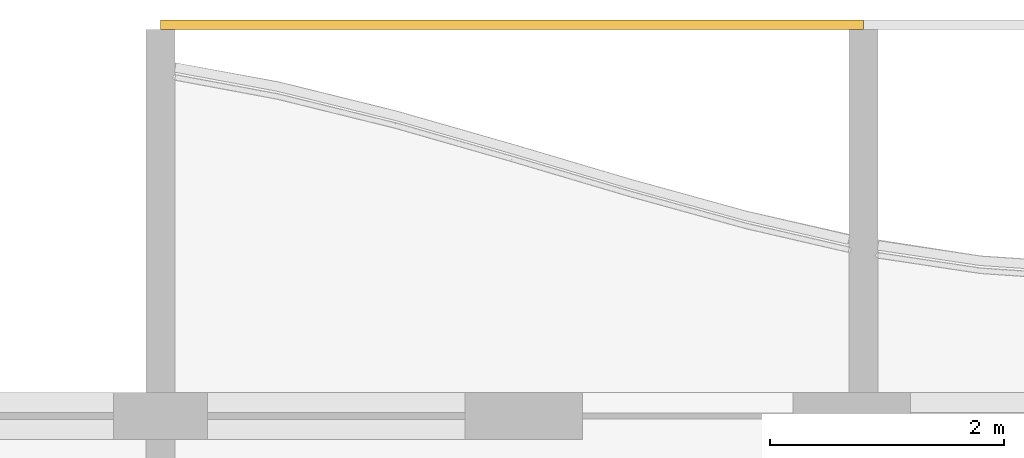
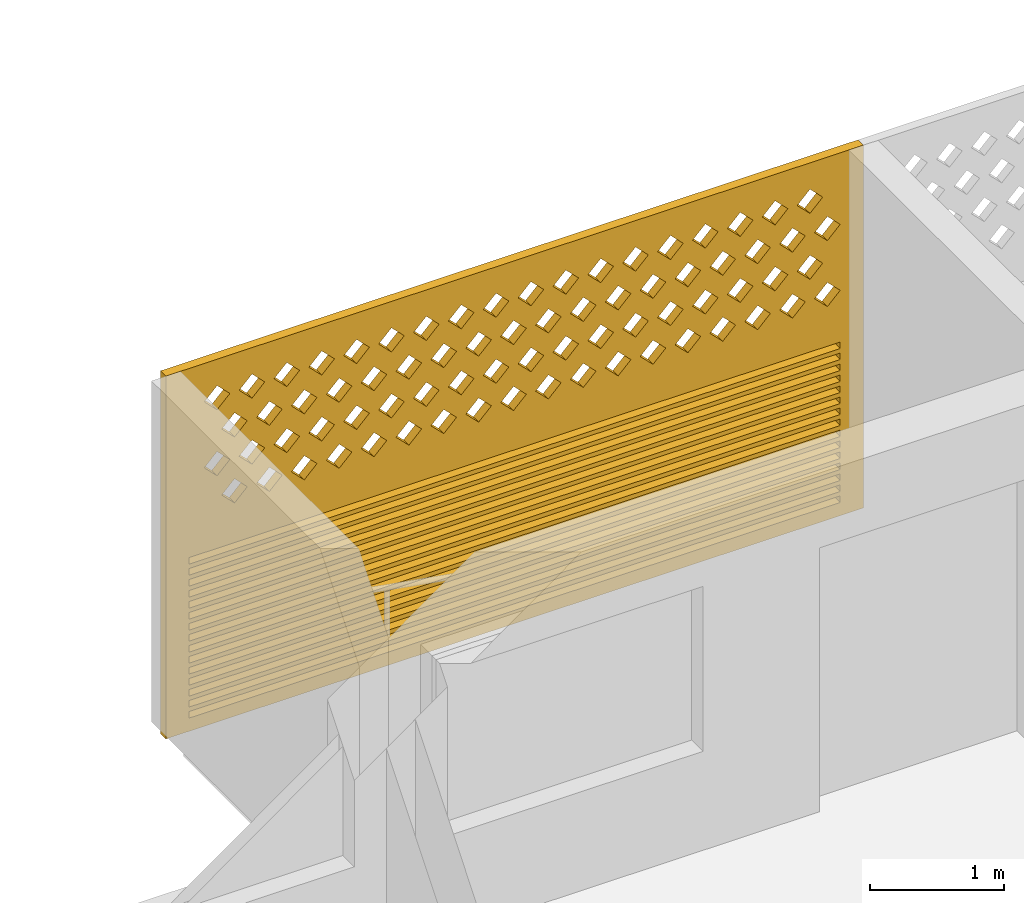
# One storey, part 25 of 27: 1 covering.
"""IFC4 building model written with IfcOpenShell, lengths in metres."""

import ifcopenshell
import ifcopenshell.guid

model = None  # the IFC model being written
_history = None  # IfcOwnerHistory: only IFC2X3 demands one
_inside = {}  # id of a spatial element -> (the spatial element, [elements in it])
_under = {}  # id of a project, library or spatial element -> (it, [spatial elements below it])
_declared = {}  # id of a project -> (the project, [libraries it declares])
_typed = {}  # id of a type object -> (the type object, [elements of that type])
_made_of = {}  # id of a material, layer set ... -> (it, [elements and type objects made of it])


def new_model(schema):
    """Start an empty IFC model of exactly this schema.

    Asked for "IFC4X3", IfcOpenShell would pick the latest addendum, in which some entities
    have other attributes; the version numbers below select the first issue.
    IFC2X3 requires an IfcOwnerHistory on every rooted entity: one is made here for all.
    """
    global model, _history
    if schema == "IFC4X3":
        model = ifcopenshell.file(schema_version=(4, 3, 0, 0))
    else:
        model = ifcopenshell.file(schema=schema)
    _inside.clear()
    _under.clear()
    _declared.clear()
    _typed.clear()
    _made_of.clear()
    _history = None
    if model.schema == "IFC2X3":
        org = make("IfcOrganization", Name="unknown")
        user = make(
            "IfcPersonAndOrganization",
            ThePerson=make("IfcPerson", FamilyName="unknown"),
            TheOrganization=org,
        )
        app = make(
            "IfcApplication",
            ApplicationDeveloper=org,
            Version="unknown",
            ApplicationFullName="unknown",
            ApplicationIdentifier="unknown",
        )
        _history = make(
            "IfcOwnerHistory",
            OwningUser=user,
            OwningApplication=app,
            ChangeAction="ADDED",
            CreationDate=0,
        )
    return model


def make(cls, **values):
    """One entity of the class cls with the attributes given. An attribute that is None is left unset."""
    return model.create_entity(
        cls, **{name: value for name, value in values.items() if value is not None}
    )


def rooted(cls, **values):
    """An entity with a GlobalId (a new one), such as an element, a storey or a relation."""
    return make(cls, GlobalId=ifcopenshell.guid.new(), OwnerHistory=_history, **values)


def si_unit(unit_type, name, prefix=None):
    """IfcSIUnit, for example si_unit("LENGTHUNIT", "METRE", prefix="MILLI")."""
    return make("IfcSIUnit", UnitType=unit_type, Prefix=prefix, Name=name)


def assignment(units):
    """IfcUnitAssignment: the units of a project."""
    return None if units is None else make("IfcUnitAssignment", Units=units)


def point(xyz):
    """IfcCartesianPoint."""
    return None if xyz is None else make("IfcCartesianPoint", Coordinates=xyz)


def direction(xyz):
    """IfcDirection."""
    return None if xyz is None else make("IfcDirection", DirectionRatios=xyz)


def frame(location, z_axis=None, x_axis=None):
    """IfcAxis2Placement3D, a coordinate frame: its origin and axes. An axis left out is left unset."""
    return make(
        "IfcAxis2Placement3D",
        Location=point(location),
        Axis=direction(z_axis),
        RefDirection=direction(x_axis),
    )


def origin():
    """The frame at (0, 0, 0) with its axes left unset."""
    return frame((0.0, 0.0, 0.0))


def place(relative_to, where):
    """IfcLocalPlacement: puts the frame where relative to a parent placement (None: the world)."""
    return make(
        "IfcLocalPlacement", PlacementRelTo=relative_to, RelativePlacement=where
    )


def context(
    kind, dimensions, precision=None, world=None, true_north=None, identifier=None
):
    """IfcGeometricRepresentationContext, for example the 3D "Model" context."""
    return make(
        "IfcGeometricRepresentationContext",
        ContextIdentifier=identifier,
        ContextType=kind,
        CoordinateSpaceDimension=dimensions,
        Precision=precision,
        WorldCoordinateSystem=world,
        TrueNorth=true_north,
    )


def subcontext(parent, identifier, kind, view, scale=None):
    """IfcGeometricRepresentationSubContext, for example "Body" below "Model"."""
    return make(
        "IfcGeometricRepresentationSubContext",
        ContextIdentifier=identifier,
        ContextType=kind,
        ParentContext=parent,
        TargetScale=scale,
        TargetView=view,
    )


def project(units=None, contexts=None):
    """IfcProject with its units and contexts."""
    return rooted(
        "IfcProject",
        Name="project",
        RepresentationContexts=contexts,
        UnitsInContext=assignment(units),
    )


def spatial(cls, under=None, at=None, **own):
    """A site, building, storey or space (cls), placed at a placement, below another one or the project."""
    s = rooted(cls, ObjectPlacement=at, **own)
    if under is not None:
        _under.setdefault(under.id(), (under, []))[1].append(s)
    return s


def polyline(points):
    """IfcPolyline through the points."""
    return make("IfcPolyline", Points=[point(p) for p in points])


def outline(outer, holes=None, kind="AREA"):
    """IfcArbitraryClosedProfileDef: a profile drawn as a closed curve; with holes, ...WithVoids."""
    if holes is None:
        return make("IfcArbitraryClosedProfileDef", ProfileType=kind, OuterCurve=outer)
    return make(
        "IfcArbitraryProfileDefWithVoids",
        ProfileType=kind,
        OuterCurve=outer,
        InnerCurves=holes,
    )


def extrude(swept, where, along, depth):
    """IfcExtrudedAreaSolid: the profile swept, set in the frame where, extruded along a direction by depth."""
    return make(
        "IfcExtrudedAreaSolid",
        SweptArea=swept,
        Position=where,
        ExtrudedDirection=direction(along),
        Depth=depth,
    )


def shape(context_of_items, identifier, shape_type, items):
    """IfcShapeRepresentation: the items that make up one representation, for example the "Body"."""
    return make(
        "IfcShapeRepresentation",
        ContextOfItems=context_of_items,
        RepresentationIdentifier=identifier,
        RepresentationType=shape_type,
        Items=items,
    )


def source(mapping_origin, context_of_items, identifier, shape_type, items):
    """IfcRepresentationMap: a shape defined once, which mapped items show again and again."""
    return make(
        "IfcRepresentationMap",
        MappingOrigin=mapping_origin,
        MappedRepresentation=shape(context_of_items, identifier, shape_type, items),
    )


def transform(
    local_origin,
    x_axis=None,
    y_axis=None,
    z_axis=None,
    scale=None,
    scale2=None,
    scale3=None,
    uniform=True,
):
    """IfcCartesianTransformationOperator3D, or its non-uniform kind. x_axis, y_axis, z_axis: its Axis1, 2, 3."""
    if uniform:
        return make(
            "IfcCartesianTransformationOperator3D",
            Axis1=direction(x_axis),
            Axis2=direction(y_axis),
            LocalOrigin=point(local_origin),
            Scale=scale,
            Axis3=direction(z_axis),
        )
    return make(
        "IfcCartesianTransformationOperator3DnonUniform",
        Axis1=direction(x_axis),
        Axis2=direction(y_axis),
        LocalOrigin=point(local_origin),
        Scale=scale,
        Axis3=direction(z_axis),
        Scale2=scale2,
        Scale3=scale3,
    )


def mapped(mapping_source, mapping_target):
    """IfcMappedItem: shows the shape of a source again, moved by a transform."""
    return make(
        "IfcMappedItem", MappingSource=mapping_source, MappingTarget=mapping_target
    )


def material(Name=None, Category=None):
    """IfcMaterial."""
    return make("IfcMaterial", Name=Name, Category=Category)


def material_profile(
    of_material, cross_section, Name=None, Category=None, Priority=None
):
    """IfcMaterialProfile: a cross section and its material."""
    return make(
        "IfcMaterialProfile",
        Name=Name,
        Material=of_material,
        Profile=cross_section,
        Priority=Priority,
        Category=Category,
    )


def profile_set(profiles, Name=None, composite=None):
    """IfcMaterialProfileSet."""
    return make(
        "IfcMaterialProfileSet",
        Name=Name,
        MaterialProfiles=profiles,
        CompositeProfile=composite,
    )


def made_of(thing, what):
    """Note that an element or type object is made of a material, layer set ...; save() writes the relation."""
    if what is not None:
        _made_of.setdefault(what.id(), (what, []))[1].append(thing)
    return thing


def type_object(cls, material=None, **own):
    """A type object (cls), such as IfcWallType, which elements share."""
    return made_of(rooted(cls, **own), material)


def element(
    cls,
    number,
    at=None,
    inside=None,
    cuts=None,
    type_object=None,
    material=None,
    context=None,
    identifier="Body",
    shape_type=None,
    held_by="IfcProductDefinitionShape",
    body=None,
    shapes=None,
    **own,
):
    """One element of the class cls, such as IfcWall. Its Tag is "e" and its number.

    at: its placement. inside: the storey or other place that contains it. cuts: it is an
    opening in that element (IfcRelVoidsElement). A single representation is given by context,
    identifier, shape_type and body (its items); several are given by shapes. held_by: the class
    of the entity that holds the representations. save() writes the other relations.
    """
    e = rooted(cls, Tag="e%d" % number, ObjectPlacement=at, **own)
    if body is not None:
        shapes = [shape(context, identifier, shape_type, body)]
    if shapes is not None:
        e.Representation = make(held_by, Representations=shapes)
    if inside is not None:
        _inside.setdefault(inside.id(), (inside, []))[1].append(e)
    if cuts is not None:
        rooted(
            "IfcRelVoidsElement", RelatingBuildingElement=cuts, RelatedOpeningElement=e
        )
    if type_object is not None:
        _typed.setdefault(type_object.id(), (type_object, []))[1].append(e)
    return made_of(e, material)


def aggregate(whole, parts):
    """IfcRelAggregates: a whole, such as a stair, and the parts it consists of."""
    return rooted("IfcRelAggregates", RelatingObject=whole, RelatedObjects=parts)


def save(model, path):
    """Write the relations noted so far, then the file.

    IfcRelAggregates (storeys below a building ...), IfcRelContainedInSpatialStructure (elements
    in a storey), IfcRelDefinesByType, IfcRelAssociatesMaterial and IfcRelDeclares: one each for
    every whole, place, type object, material and project.
    """
    for whole, parts in _under.values():
        aggregate(whole, parts)
    for where, things in _inside.values():
        rooted(
            "IfcRelContainedInSpatialStructure",
            RelatedElements=things,
            RelatingStructure=where,
        )
    for kind, things in _typed.values():
        rooted("IfcRelDefinesByType", RelatedObjects=things, RelatingType=kind)
    for what, things in _made_of.values():
        rooted("IfcRelAssociatesMaterial", RelatedObjects=things, RelatingMaterial=what)
    for by, libraries in _declared.values():
        rooted("IfcRelDeclares", RelatingContext=by, RelatedDefinitions=libraries)
    model.write(path)


model = new_model("IFC4")

# Units and contexts
model_context = context("Model", 3, precision=1e-05, world=origin(), true_north=direction((0.0, 1.0)))
body_context = subcontext(model_context, "Body", "Model", "MODEL_VIEW")
ifc_project = project(units=[si_unit("LENGTHUNIT", "METRE"), si_unit("AREAUNIT", "SQUARE_METRE"), si_unit("VOLUMEUNIT", "CUBIC_METRE"), si_unit("PLANEANGLEUNIT", "RADIAN"), si_unit("MASSUNIT", "GRAM", prefix="KILO")], contexts=[model_context])

# Site, building, storey
site_placement = place(None, origin())
site = spatial("IfcSite", under=ifc_project, at=site_placement, CompositionType="ELEMENT")
building_placement = place(site_placement, origin())
building = spatial("IfcBuilding", under=site, at=building_placement, Name="Poui Terraces", CompositionType="ELEMENT")
storey_placement = place(building_placement, frame((0.0, 0.0, 254.39990234375)))
storey = spatial("IfcBuildingStorey", under=building, at=storey_placement, Name="L71", CompositionType="ELEMENT", Elevation=254.39990234375)

# Covering
ifc_material = material(Name="Terracotta screen", Category="masonry")
ifc_material_profile = material_profile(ifc_material, outline(polyline([(-3.0, -1.64990234375), (3.0, -1.64990234375), (3.0, 1.64990234375), (-3.0, 1.64990234375), (-3.0, -1.64990234375)]), holes=[polyline([(-2.800048828125, 0.39990234375), (-2.68994140625, 0.2900390625), (-2.580078125, 0.39990234375), (-2.68994140625, 0.510009765625), (-2.800048828125, 0.39990234375)]), polyline([(-2.5, 0.39990234375), (-2.389892578125, 0.2900390625), (-2.280029296875, 0.39990234375), (-2.389892578125, 0.510009765625), (-2.5, 0.39990234375)]), polyline([(-2.199951171875, 0.39990234375), (-2.090087890625, 0.2900390625), (-1.97998046875, 0.39990234375), (-2.090087890625, 0.510009765625), (-2.199951171875, 0.39990234375)]), polyline([(-1.89990234375, 0.39990234375), (-1.7900390625, 0.2900390625), (-1.679931640625, 0.39990234375), (-1.7900390625, 0.510009765625), (-1.89990234375, 0.39990234375)]), polyline([(-1.60009765625, 0.39990234375), (-1.489990234375, 0.2900390625), (-1.3798828125, 0.39990234375), (-1.489990234375, 0.510009765625), (-1.60009765625, 0.39990234375)]), polyline([(-1.300048828125, 0.39990234375), (-1.18994140625, 0.2900390625), (-1.080078125, 0.39990234375), (-1.18994140625, 0.510009765625), (-1.300048828125, 0.39990234375)]), polyline([(-1.0, 0.39990234375), (-0.889892578125, 0.2900390625), (-0.780029296875, 0.39990234375), (-0.889892578125, 0.510009765625), (-1.0, 0.39990234375)]), polyline([(-0.699951171875, 0.39990234375), (-0.590087890625, 0.2900390625), (-0.47998046875, 0.39990234375), (-0.590087890625, 0.510009765625), (-0.699951171875, 0.39990234375)]), polyline([(-0.39990234375, 0.39990234375), (-0.2900390625, 0.2900390625), (-0.179931640625, 0.39990234375), (-0.2900390625, 0.510009765625), (-0.39990234375, 0.39990234375)]), polyline([(-0.10009765625, 0.39990234375), (0.010009765625, 0.2900390625), (0.1201171875, 0.39990234375), (0.010009765625, 0.510009765625), (-0.10009765625, 0.39990234375)]), polyline([(0.199951171875, 0.39990234375), (0.31005859375, 0.2900390625), (0.419921875, 0.39990234375), (0.31005859375, 0.510009765625), (0.199951171875, 0.39990234375)]), polyline([(0.5, 0.39990234375), (0.610107421875, 0.2900390625), (0.719970703125, 0.39990234375), (0.610107421875, 0.510009765625), (0.5, 0.39990234375)]), polyline([(0.800048828125, 0.39990234375), (0.909912109375, 0.2900390625), (1.02001953125, 0.39990234375), (0.909912109375, 0.510009765625), (0.800048828125, 0.39990234375)]), polyline([(1.10009765625, 0.39990234375), (1.2099609375, 0.2900390625), (1.320068359375, 0.39990234375), (1.2099609375, 0.510009765625), (1.10009765625, 0.39990234375)]), polyline([(1.39990234375, 0.39990234375), (1.510009765625, 0.2900390625), (1.6201171875, 0.39990234375), (1.510009765625, 0.510009765625), (1.39990234375, 0.39990234375)]), polyline([(1.699951171875, 0.39990234375), (1.81005859375, 0.2900390625), (1.919921875, 0.39990234375), (1.81005859375, 0.510009765625), (1.699951171875, 0.39990234375)]), polyline([(2.0, 0.39990234375), (2.110107421875, 0.2900390625), (2.219970703125, 0.39990234375), (2.110107421875, 0.510009765625), (2.0, 0.39990234375)]), polyline([(2.300048828125, 0.39990234375), (2.409912109375, 0.2900390625), (2.52001953125, 0.39990234375), (2.409912109375, 0.510009765625), (2.300048828125, 0.39990234375)]), polyline([(-2.64990234375, 0.699951171875), (-2.5400390625, 0.590087890625), (-2.429931640625, 0.699951171875), (-2.5400390625, 0.81005859375), (-2.64990234375, 0.699951171875)]), polyline([(-2.35009765625, 0.699951171875), (-2.239990234375, 0.590087890625), (-2.1298828125, 0.699951171875), (-2.239990234375, 0.81005859375), (-2.35009765625, 0.699951171875)]), polyline([(-2.050048828125, 0.699951171875), (-1.93994140625, 0.590087890625), (-1.830078125, 0.699951171875), (-1.93994140625, 0.81005859375), (-2.050048828125, 0.699951171875)]), polyline([(-1.75, 0.699951171875), (-1.639892578125, 0.590087890625), (-1.530029296875, 0.699951171875), (-1.639892578125, 0.81005859375), (-1.75, 0.699951171875)]), polyline([(-1.449951171875, 0.699951171875), (-1.340087890625, 0.590087890625), (-1.22998046875, 0.699951171875), (-1.340087890625, 0.81005859375), (-1.449951171875, 0.699951171875)]), polyline([(-1.14990234375, 0.699951171875), (-1.0400390625, 0.590087890625), (-0.929931640625, 0.699951171875), (-1.0400390625, 0.81005859375), (-1.14990234375, 0.699951171875)]), polyline([(-0.85009765625, 0.699951171875), (-0.739990234375, 0.590087890625), (-0.6298828125, 0.699951171875), (-0.739990234375, 0.81005859375), (-0.85009765625, 0.699951171875)]), polyline([(-0.550048828125, 0.699951171875), (-0.43994140625, 0.590087890625), (-0.330078125, 0.699951171875), (-0.43994140625, 0.81005859375), (-0.550048828125, 0.699951171875)]), polyline([(-0.25, 0.699951171875), (-0.139892578125, 0.590087890625), (-0.030029296875, 0.699951171875), (-0.139892578125, 0.81005859375), (-0.25, 0.699951171875)]), polyline([(0.050048828125, 0.699951171875), (0.159912109375, 0.590087890625), (0.27001953125, 0.699951171875), (0.159912109375, 0.81005859375), (0.050048828125, 0.699951171875)]), polyline([(0.35009765625, 0.699951171875), (0.4599609375, 0.590087890625), (0.570068359375, 0.699951171875), (0.4599609375, 0.81005859375), (0.35009765625, 0.699951171875)]), polyline([(0.64990234375, 0.699951171875), (0.760009765625, 0.590087890625), (0.8701171875, 0.699951171875), (0.760009765625, 0.81005859375), (0.64990234375, 0.699951171875)]), polyline([(0.949951171875, 0.699951171875), (1.06005859375, 0.590087890625), (1.169921875, 0.699951171875), (1.06005859375, 0.81005859375), (0.949951171875, 0.699951171875)]), polyline([(1.25, 0.699951171875), (1.360107421875, 0.590087890625), (1.469970703125, 0.699951171875), (1.360107421875, 0.81005859375), (1.25, 0.699951171875)]), polyline([(1.550048828125, 0.699951171875), (1.659912109375, 0.590087890625), (1.77001953125, 0.699951171875), (1.659912109375, 0.81005859375), (1.550048828125, 0.699951171875)]), polyline([(1.85009765625, 0.699951171875), (1.9599609375, 0.590087890625), (2.070068359375, 0.699951171875), (1.9599609375, 0.81005859375), (1.85009765625, 0.699951171875)]), polyline([(2.14990234375, 0.699951171875), (2.260009765625, 0.590087890625), (2.3701171875, 0.699951171875), (2.260009765625, 0.81005859375), (2.14990234375, 0.699951171875)]), polyline([(2.449951171875, 0.699951171875), (2.56005859375, 0.590087890625), (2.669921875, 0.699951171875), (2.56005859375, 0.81005859375), (2.449951171875, 0.699951171875)]), polyline([(-2.800048828125, 1.0), (-2.68994140625, 0.889892578125), (-2.580078125, 1.0), (-2.68994140625, 1.110107421875), (-2.800048828125, 1.0)]), polyline([(-2.5, 1.0), (-2.389892578125, 0.889892578125), (-2.280029296875, 1.0), (-2.389892578125, 1.110107421875), (-2.5, 1.0)]), polyline([(-2.199951171875, 1.0), (-2.090087890625, 0.889892578125), (-1.97998046875, 1.0), (-2.090087890625, 1.110107421875), (-2.199951171875, 1.0)]), polyline([(-1.89990234375, 1.0), (-1.7900390625, 0.889892578125), (-1.679931640625, 1.0), (-1.7900390625, 1.110107421875), (-1.89990234375, 1.0)]), polyline([(-1.60009765625, 1.0), (-1.489990234375, 0.889892578125), (-1.3798828125, 1.0), (-1.489990234375, 1.110107421875), (-1.60009765625, 1.0)]), polyline([(-1.300048828125, 1.0), (-1.18994140625, 0.889892578125), (-1.080078125, 1.0), (-1.18994140625, 1.110107421875), (-1.300048828125, 1.0)]), polyline([(-1.0, 1.0), (-0.889892578125, 0.889892578125), (-0.780029296875, 1.0), (-0.889892578125, 1.110107421875), (-1.0, 1.0)]), polyline([(-0.699951171875, 1.0), (-0.590087890625, 0.889892578125), (-0.47998046875, 1.0), (-0.590087890625, 1.110107421875), (-0.699951171875, 1.0)]), polyline([(-0.39990234375, 1.0), (-0.2900390625, 0.889892578125), (-0.179931640625, 1.0), (-0.2900390625, 1.110107421875), (-0.39990234375, 1.0)]), polyline([(-0.10009765625, 1.0), (0.010009765625, 0.889892578125), (0.1201171875, 1.0), (0.010009765625, 1.110107421875), (-0.10009765625, 1.0)]), polyline([(0.199951171875, 1.0), (0.31005859375, 0.889892578125), (0.419921875, 1.0), (0.31005859375, 1.110107421875), (0.199951171875, 1.0)]), polyline([(0.5, 1.0), (0.610107421875, 0.889892578125), (0.719970703125, 1.0), (0.610107421875, 1.110107421875), (0.5, 1.0)]), polyline([(0.800048828125, 1.0), (0.909912109375, 0.889892578125), (1.02001953125, 1.0), (0.909912109375, 1.110107421875), (0.800048828125, 1.0)]), polyline([(1.10009765625, 1.0), (1.2099609375, 0.889892578125), (1.320068359375, 1.0), (1.2099609375, 1.110107421875), (1.10009765625, 1.0)]), polyline([(1.39990234375, 1.0), (1.510009765625, 0.889892578125), (1.6201171875, 1.0), (1.510009765625, 1.110107421875), (1.39990234375, 1.0)]), polyline([(1.699951171875, 1.0), (1.81005859375, 0.889892578125), (1.919921875, 1.0), (1.81005859375, 1.110107421875), (1.699951171875, 1.0)]), polyline([(2.0, 1.0), (2.110107421875, 0.889892578125), (2.219970703125, 1.0), (2.110107421875, 1.110107421875), (2.0, 1.0)]), polyline([(2.300048828125, 1.0), (2.409912109375, 0.889892578125), (2.52001953125, 1.0), (2.409912109375, 1.110107421875), (2.300048828125, 1.0)]), polyline([(-2.64990234375, 1.300048828125), (-2.5400390625, 1.18994140625), (-2.429931640625, 1.300048828125), (-2.5400390625, 1.409912109375), (-2.64990234375, 1.300048828125)]), polyline([(-2.35009765625, 1.300048828125), (-2.239990234375, 1.18994140625), (-2.1298828125, 1.300048828125), (-2.239990234375, 1.409912109375), (-2.35009765625, 1.300048828125)]), polyline([(-2.050048828125, 1.300048828125), (-1.93994140625, 1.18994140625), (-1.830078125, 1.300048828125), (-1.93994140625, 1.409912109375), (-2.050048828125, 1.300048828125)]), polyline([(-1.75, 1.300048828125), (-1.639892578125, 1.18994140625), (-1.530029296875, 1.300048828125), (-1.639892578125, 1.409912109375), (-1.75, 1.300048828125)]), polyline([(-1.449951171875, 1.300048828125), (-1.340087890625, 1.18994140625), (-1.22998046875, 1.300048828125), (-1.340087890625, 1.409912109375), (-1.449951171875, 1.300048828125)]), polyline([(-1.14990234375, 1.300048828125), (-1.0400390625, 1.18994140625), (-0.929931640625, 1.300048828125), (-1.0400390625, 1.409912109375), (-1.14990234375, 1.300048828125)]), polyline([(-0.85009765625, 1.300048828125), (-0.739990234375, 1.18994140625), (-0.6298828125, 1.300048828125), (-0.739990234375, 1.409912109375), (-0.85009765625, 1.300048828125)]), polyline([(-0.550048828125, 1.300048828125), (-0.43994140625, 1.18994140625), (-0.330078125, 1.300048828125), (-0.43994140625, 1.409912109375), (-0.550048828125, 1.300048828125)]), polyline([(-0.25, 1.300048828125), (-0.139892578125, 1.18994140625), (-0.030029296875, 1.300048828125), (-0.139892578125, 1.409912109375), (-0.25, 1.300048828125)]), polyline([(0.050048828125, 1.300048828125), (0.159912109375, 1.18994140625), (0.27001953125, 1.300048828125), (0.159912109375, 1.409912109375), (0.050048828125, 1.300048828125)]), polyline([(0.35009765625, 1.300048828125), (0.4599609375, 1.18994140625), (0.570068359375, 1.300048828125), (0.4599609375, 1.409912109375), (0.35009765625, 1.300048828125)]), polyline([(0.64990234375, 1.300048828125), (0.760009765625, 1.18994140625), (0.8701171875, 1.300048828125), (0.760009765625, 1.409912109375), (0.64990234375, 1.300048828125)]), polyline([(0.949951171875, 1.300048828125), (1.06005859375, 1.18994140625), (1.169921875, 1.300048828125), (1.06005859375, 1.409912109375), (0.949951171875, 1.300048828125)]), polyline([(1.25, 1.300048828125), (1.360107421875, 1.18994140625), (1.469970703125, 1.300048828125), (1.360107421875, 1.409912109375), (1.25, 1.300048828125)]), polyline([(1.550048828125, 1.300048828125), (1.659912109375, 1.18994140625), (1.77001953125, 1.300048828125), (1.659912109375, 1.409912109375), (1.550048828125, 1.300048828125)]), polyline([(1.85009765625, 1.300048828125), (1.9599609375, 1.18994140625), (2.070068359375, 1.300048828125), (1.9599609375, 1.409912109375), (1.85009765625, 1.300048828125)]), polyline([(2.14990234375, 1.300048828125), (2.260009765625, 1.18994140625), (2.3701171875, 1.300048828125), (2.260009765625, 1.409912109375), (2.14990234375, 1.300048828125)]), polyline([(2.449951171875, 1.300048828125), (2.56005859375, 1.18994140625), (2.669921875, 1.300048828125), (2.56005859375, 1.409912109375), (2.449951171875, 1.300048828125)]), polyline([(-2.800048828125, -1.530029296875), (2.800048828125, -1.530029296875), (2.800048828125, -1.469970703125), (-2.800048828125, -1.469970703125), (-2.800048828125, -1.530029296875)]), polyline([(-2.800048828125, -1.429931640625), (2.800048828125, -1.429931640625), (2.800048828125, -1.3701171875), (-2.800048828125, -1.3701171875), (-2.800048828125, -1.429931640625)]), polyline([(-2.800048828125, -1.330078125), (2.800048828125, -1.330078125), (2.800048828125, -1.27001953125), (-2.800048828125, -1.27001953125), (-2.800048828125, -1.330078125)]), polyline([(-2.800048828125, -1.22998046875), (2.800048828125, -1.22998046875), (2.800048828125, -1.169921875), (-2.800048828125, -1.169921875), (-2.800048828125, -1.22998046875)]), polyline([(-2.800048828125, -1.1298828125), (2.800048828125, -1.1298828125), (2.800048828125, -1.070068359375), (-2.800048828125, -1.070068359375), (-2.800048828125, -1.1298828125)]), polyline([(-2.800048828125, -1.030029296875), (2.800048828125, -1.030029296875), (2.800048828125, -0.969970703125), (-2.800048828125, -0.969970703125), (-2.800048828125, -1.030029296875)]), polyline([(-2.800048828125, -0.929931640625), (2.800048828125, -0.929931640625), (2.800048828125, -0.8701171875), (-2.800048828125, -0.8701171875), (-2.800048828125, -0.929931640625)]), polyline([(-2.800048828125, -0.830078125), (2.800048828125, -0.830078125), (2.800048828125, -0.77001953125), (-2.800048828125, -0.77001953125), (-2.800048828125, -0.830078125)]), polyline([(-2.800048828125, -0.72998046875), (2.800048828125, -0.72998046875), (2.800048828125, -0.669921875), (-2.800048828125, -0.669921875), (-2.800048828125, -0.72998046875)]), polyline([(-2.800048828125, -0.6298828125), (2.800048828125, -0.6298828125), (2.800048828125, -0.570068359375), (-2.800048828125, -0.570068359375), (-2.800048828125, -0.6298828125)]), polyline([(-2.800048828125, -0.530029296875), (2.800048828125, -0.530029296875), (2.800048828125, -0.469970703125), (-2.800048828125, -0.469970703125), (-2.800048828125, -0.530029296875)]), polyline([(-2.800048828125, -0.429931640625), (2.800048828125, -0.429931640625), (2.800048828125, -0.3701171875), (-2.800048828125, -0.3701171875), (-2.800048828125, -0.429931640625)]), polyline([(-2.800048828125, -0.330078125), (2.800048828125, -0.330078125), (2.800048828125, -0.27001953125), (-2.800048828125, -0.27001953125), (-2.800048828125, -0.330078125)]), polyline([(-2.800048828125, -0.22998046875), (2.800048828125, -0.22998046875), (2.800048828125, -0.169921875), (-2.800048828125, -0.169921875), (-2.800048828125, -0.22998046875)]), polyline([(-2.800048828125, -0.1298828125), (2.800048828125, -0.1298828125), (2.800048828125, -0.070068359375), (-2.800048828125, -0.070068359375), (-2.800048828125, -0.1298828125)])]), Name="TERRACOTTA SCREEN AND JALOUSIE LOUVRE 6000X3300")
ifc_profile_set = profile_set([ifc_material_profile], Name="Terracotta screen")
covering_type = type_object("IfcCoveringType", Name="TERRACOTTA SCREEN AND JALOUSIE LOUVRE 6000X3300", PredefinedType="CLADDING", material=ifc_profile_set)
shared_shape = source(origin(), body_context, "Body", "SweptSolid", [
    extrude(outline(polyline([(-3.0, -1.64990234375), (3.0, -1.64990234375), (3.0, 1.64990234375), (-3.0, 1.64990234375), (-3.0, -1.64990234375)]), holes=[polyline([(-2.800048828125, 0.39990234375), (-2.68994140625, 0.2900390625), (-2.580078125, 0.39990234375), (-2.68994140625, 0.510009765625), (-2.800048828125, 0.39990234375)]), polyline([(-2.5, 0.39990234375), (-2.389892578125, 0.2900390625), (-2.280029296875, 0.39990234375), (-2.389892578125, 0.510009765625), (-2.5, 0.39990234375)]), polyline([(-2.199951171875, 0.39990234375), (-2.090087890625, 0.2900390625), (-1.97998046875, 0.39990234375), (-2.090087890625, 0.510009765625), (-2.199951171875, 0.39990234375)]), polyline([(-1.89990234375, 0.39990234375), (-1.7900390625, 0.2900390625), (-1.679931640625, 0.39990234375), (-1.7900390625, 0.510009765625), (-1.89990234375, 0.39990234375)]), polyline([(-1.60009765625, 0.39990234375), (-1.489990234375, 0.2900390625), (-1.3798828125, 0.39990234375), (-1.489990234375, 0.510009765625), (-1.60009765625, 0.39990234375)]), polyline([(-1.300048828125, 0.39990234375), (-1.18994140625, 0.2900390625), (-1.080078125, 0.39990234375), (-1.18994140625, 0.510009765625), (-1.300048828125, 0.39990234375)]), polyline([(-1.0, 0.39990234375), (-0.889892578125, 0.2900390625), (-0.780029296875, 0.39990234375), (-0.889892578125, 0.510009765625), (-1.0, 0.39990234375)]), polyline([(-0.699951171875, 0.39990234375), (-0.590087890625, 0.2900390625), (-0.47998046875, 0.39990234375), (-0.590087890625, 0.510009765625), (-0.699951171875, 0.39990234375)]), polyline([(-0.39990234375, 0.39990234375), (-0.2900390625, 0.2900390625), (-0.179931640625, 0.39990234375), (-0.2900390625, 0.510009765625), (-0.39990234375, 0.39990234375)]), polyline([(-0.10009765625, 0.39990234375), (0.010009765625, 0.2900390625), (0.1201171875, 0.39990234375), (0.010009765625, 0.510009765625), (-0.10009765625, 0.39990234375)]), polyline([(0.199951171875, 0.39990234375), (0.31005859375, 0.2900390625), (0.419921875, 0.39990234375), (0.31005859375, 0.510009765625), (0.199951171875, 0.39990234375)]), polyline([(0.5, 0.39990234375), (0.610107421875, 0.2900390625), (0.719970703125, 0.39990234375), (0.610107421875, 0.510009765625), (0.5, 0.39990234375)]), polyline([(0.800048828125, 0.39990234375), (0.909912109375, 0.2900390625), (1.02001953125, 0.39990234375), (0.909912109375, 0.510009765625), (0.800048828125, 0.39990234375)]), polyline([(1.10009765625, 0.39990234375), (1.2099609375, 0.2900390625), (1.320068359375, 0.39990234375), (1.2099609375, 0.510009765625), (1.10009765625, 0.39990234375)]), polyline([(1.39990234375, 0.39990234375), (1.510009765625, 0.2900390625), (1.6201171875, 0.39990234375), (1.510009765625, 0.510009765625), (1.39990234375, 0.39990234375)]), polyline([(1.699951171875, 0.39990234375), (1.81005859375, 0.2900390625), (1.919921875, 0.39990234375), (1.81005859375, 0.510009765625), (1.699951171875, 0.39990234375)]), polyline([(2.0, 0.39990234375), (2.110107421875, 0.2900390625), (2.219970703125, 0.39990234375), (2.110107421875, 0.510009765625), (2.0, 0.39990234375)]), polyline([(2.300048828125, 0.39990234375), (2.409912109375, 0.2900390625), (2.52001953125, 0.39990234375), (2.409912109375, 0.510009765625), (2.300048828125, 0.39990234375)]), polyline([(-2.64990234375, 0.699951171875), (-2.5400390625, 0.590087890625), (-2.429931640625, 0.699951171875), (-2.5400390625, 0.81005859375), (-2.64990234375, 0.699951171875)]), polyline([(-2.35009765625, 0.699951171875), (-2.239990234375, 0.590087890625), (-2.1298828125, 0.699951171875), (-2.239990234375, 0.81005859375), (-2.35009765625, 0.699951171875)]), polyline([(-2.050048828125, 0.699951171875), (-1.93994140625, 0.590087890625), (-1.830078125, 0.699951171875), (-1.93994140625, 0.81005859375), (-2.050048828125, 0.699951171875)]), polyline([(-1.75, 0.699951171875), (-1.639892578125, 0.590087890625), (-1.530029296875, 0.699951171875), (-1.639892578125, 0.81005859375), (-1.75, 0.699951171875)]), polyline([(-1.449951171875, 0.699951171875), (-1.340087890625, 0.590087890625), (-1.22998046875, 0.699951171875), (-1.340087890625, 0.81005859375), (-1.449951171875, 0.699951171875)]), polyline([(-1.14990234375, 0.699951171875), (-1.0400390625, 0.590087890625), (-0.929931640625, 0.699951171875), (-1.0400390625, 0.81005859375), (-1.14990234375, 0.699951171875)]), polyline([(-0.85009765625, 0.699951171875), (-0.739990234375, 0.590087890625), (-0.6298828125, 0.699951171875), (-0.739990234375, 0.81005859375), (-0.85009765625, 0.699951171875)]), polyline([(-0.550048828125, 0.699951171875), (-0.43994140625, 0.590087890625), (-0.330078125, 0.699951171875), (-0.43994140625, 0.81005859375), (-0.550048828125, 0.699951171875)]), polyline([(-0.25, 0.699951171875), (-0.139892578125, 0.590087890625), (-0.030029296875, 0.699951171875), (-0.139892578125, 0.81005859375), (-0.25, 0.699951171875)]), polyline([(0.050048828125, 0.699951171875), (0.159912109375, 0.590087890625), (0.27001953125, 0.699951171875), (0.159912109375, 0.81005859375), (0.050048828125, 0.699951171875)]), polyline([(0.35009765625, 0.699951171875), (0.4599609375, 0.590087890625), (0.570068359375, 0.699951171875), (0.4599609375, 0.81005859375), (0.35009765625, 0.699951171875)]), polyline([(0.64990234375, 0.699951171875), (0.760009765625, 0.590087890625), (0.8701171875, 0.699951171875), (0.760009765625, 0.81005859375), (0.64990234375, 0.699951171875)]), polyline([(0.949951171875, 0.699951171875), (1.06005859375, 0.590087890625), (1.169921875, 0.699951171875), (1.06005859375, 0.81005859375), (0.949951171875, 0.699951171875)]), polyline([(1.25, 0.699951171875), (1.360107421875, 0.590087890625), (1.469970703125, 0.699951171875), (1.360107421875, 0.81005859375), (1.25, 0.699951171875)]), polyline([(1.550048828125, 0.699951171875), (1.659912109375, 0.590087890625), (1.77001953125, 0.699951171875), (1.659912109375, 0.81005859375), (1.550048828125, 0.699951171875)]), polyline([(1.85009765625, 0.699951171875), (1.9599609375, 0.590087890625), (2.070068359375, 0.699951171875), (1.9599609375, 0.81005859375), (1.85009765625, 0.699951171875)]), polyline([(2.14990234375, 0.699951171875), (2.260009765625, 0.590087890625), (2.3701171875, 0.699951171875), (2.260009765625, 0.81005859375), (2.14990234375, 0.699951171875)]), polyline([(2.449951171875, 0.699951171875), (2.56005859375, 0.590087890625), (2.669921875, 0.699951171875), (2.56005859375, 0.81005859375), (2.449951171875, 0.699951171875)]), polyline([(-2.800048828125, 1.0), (-2.68994140625, 0.889892578125), (-2.580078125, 1.0), (-2.68994140625, 1.110107421875), (-2.800048828125, 1.0)]), polyline([(-2.5, 1.0), (-2.389892578125, 0.889892578125), (-2.280029296875, 1.0), (-2.389892578125, 1.110107421875), (-2.5, 1.0)]), polyline([(-2.199951171875, 1.0), (-2.090087890625, 0.889892578125), (-1.97998046875, 1.0), (-2.090087890625, 1.110107421875), (-2.199951171875, 1.0)]), polyline([(-1.89990234375, 1.0), (-1.7900390625, 0.889892578125), (-1.679931640625, 1.0), (-1.7900390625, 1.110107421875), (-1.89990234375, 1.0)]), polyline([(-1.60009765625, 1.0), (-1.489990234375, 0.889892578125), (-1.3798828125, 1.0), (-1.489990234375, 1.110107421875), (-1.60009765625, 1.0)]), polyline([(-1.300048828125, 1.0), (-1.18994140625, 0.889892578125), (-1.080078125, 1.0), (-1.18994140625, 1.110107421875), (-1.300048828125, 1.0)]), polyline([(-1.0, 1.0), (-0.889892578125, 0.889892578125), (-0.780029296875, 1.0), (-0.889892578125, 1.110107421875), (-1.0, 1.0)]), polyline([(-0.699951171875, 1.0), (-0.590087890625, 0.889892578125), (-0.47998046875, 1.0), (-0.590087890625, 1.110107421875), (-0.699951171875, 1.0)]), polyline([(-0.39990234375, 1.0), (-0.2900390625, 0.889892578125), (-0.179931640625, 1.0), (-0.2900390625, 1.110107421875), (-0.39990234375, 1.0)]), polyline([(-0.10009765625, 1.0), (0.010009765625, 0.889892578125), (0.1201171875, 1.0), (0.010009765625, 1.110107421875), (-0.10009765625, 1.0)]), polyline([(0.199951171875, 1.0), (0.31005859375, 0.889892578125), (0.419921875, 1.0), (0.31005859375, 1.110107421875), (0.199951171875, 1.0)]), polyline([(0.5, 1.0), (0.610107421875, 0.889892578125), (0.719970703125, 1.0), (0.610107421875, 1.110107421875), (0.5, 1.0)]), polyline([(0.800048828125, 1.0), (0.909912109375, 0.889892578125), (1.02001953125, 1.0), (0.909912109375, 1.110107421875), (0.800048828125, 1.0)]), polyline([(1.10009765625, 1.0), (1.2099609375, 0.889892578125), (1.320068359375, 1.0), (1.2099609375, 1.110107421875), (1.10009765625, 1.0)]), polyline([(1.39990234375, 1.0), (1.510009765625, 0.889892578125), (1.6201171875, 1.0), (1.510009765625, 1.110107421875), (1.39990234375, 1.0)]), polyline([(1.699951171875, 1.0), (1.81005859375, 0.889892578125), (1.919921875, 1.0), (1.81005859375, 1.110107421875), (1.699951171875, 1.0)]), polyline([(2.0, 1.0), (2.110107421875, 0.889892578125), (2.219970703125, 1.0), (2.110107421875, 1.110107421875), (2.0, 1.0)]), polyline([(2.300048828125, 1.0), (2.409912109375, 0.889892578125), (2.52001953125, 1.0), (2.409912109375, 1.110107421875), (2.300048828125, 1.0)]), polyline([(-2.64990234375, 1.300048828125), (-2.5400390625, 1.18994140625), (-2.429931640625, 1.300048828125), (-2.5400390625, 1.409912109375), (-2.64990234375, 1.300048828125)]), polyline([(-2.35009765625, 1.300048828125), (-2.239990234375, 1.18994140625), (-2.1298828125, 1.300048828125), (-2.239990234375, 1.409912109375), (-2.35009765625, 1.300048828125)]), polyline([(-2.050048828125, 1.300048828125), (-1.93994140625, 1.18994140625), (-1.830078125, 1.300048828125), (-1.93994140625, 1.409912109375), (-2.050048828125, 1.300048828125)]), polyline([(-1.75, 1.300048828125), (-1.639892578125, 1.18994140625), (-1.530029296875, 1.300048828125), (-1.639892578125, 1.409912109375), (-1.75, 1.300048828125)]), polyline([(-1.449951171875, 1.300048828125), (-1.340087890625, 1.18994140625), (-1.22998046875, 1.300048828125), (-1.340087890625, 1.409912109375), (-1.449951171875, 1.300048828125)]), polyline([(-1.14990234375, 1.300048828125), (-1.0400390625, 1.18994140625), (-0.929931640625, 1.300048828125), (-1.0400390625, 1.409912109375), (-1.14990234375, 1.300048828125)]), polyline([(-0.85009765625, 1.300048828125), (-0.739990234375, 1.18994140625), (-0.6298828125, 1.300048828125), (-0.739990234375, 1.409912109375), (-0.85009765625, 1.300048828125)]), polyline([(-0.550048828125, 1.300048828125), (-0.43994140625, 1.18994140625), (-0.330078125, 1.300048828125), (-0.43994140625, 1.409912109375), (-0.550048828125, 1.300048828125)]), polyline([(-0.25, 1.300048828125), (-0.139892578125, 1.18994140625), (-0.030029296875, 1.300048828125), (-0.139892578125, 1.409912109375), (-0.25, 1.300048828125)]), polyline([(0.050048828125, 1.300048828125), (0.159912109375, 1.18994140625), (0.27001953125, 1.300048828125), (0.159912109375, 1.409912109375), (0.050048828125, 1.300048828125)]), polyline([(0.35009765625, 1.300048828125), (0.4599609375, 1.18994140625), (0.570068359375, 1.300048828125), (0.4599609375, 1.409912109375), (0.35009765625, 1.300048828125)]), polyline([(0.64990234375, 1.300048828125), (0.760009765625, 1.18994140625), (0.8701171875, 1.300048828125), (0.760009765625, 1.409912109375), (0.64990234375, 1.300048828125)]), polyline([(0.949951171875, 1.300048828125), (1.06005859375, 1.18994140625), (1.169921875, 1.300048828125), (1.06005859375, 1.409912109375), (0.949951171875, 1.300048828125)]), polyline([(1.25, 1.300048828125), (1.360107421875, 1.18994140625), (1.469970703125, 1.300048828125), (1.360107421875, 1.409912109375), (1.25, 1.300048828125)]), polyline([(1.550048828125, 1.300048828125), (1.659912109375, 1.18994140625), (1.77001953125, 1.300048828125), (1.659912109375, 1.409912109375), (1.550048828125, 1.300048828125)]), polyline([(1.85009765625, 1.300048828125), (1.9599609375, 1.18994140625), (2.070068359375, 1.300048828125), (1.9599609375, 1.409912109375), (1.85009765625, 1.300048828125)]), polyline([(2.14990234375, 1.300048828125), (2.260009765625, 1.18994140625), (2.3701171875, 1.300048828125), (2.260009765625, 1.409912109375), (2.14990234375, 1.300048828125)]), polyline([(2.449951171875, 1.300048828125), (2.56005859375, 1.18994140625), (2.669921875, 1.300048828125), (2.56005859375, 1.409912109375), (2.449951171875, 1.300048828125)]), polyline([(-2.800048828125, -1.530029296875), (2.800048828125, -1.530029296875), (2.800048828125, -1.469970703125), (-2.800048828125, -1.469970703125), (-2.800048828125, -1.530029296875)]), polyline([(-2.800048828125, -1.429931640625), (2.800048828125, -1.429931640625), (2.800048828125, -1.3701171875), (-2.800048828125, -1.3701171875), (-2.800048828125, -1.429931640625)]), polyline([(-2.800048828125, -1.330078125), (2.800048828125, -1.330078125), (2.800048828125, -1.27001953125), (-2.800048828125, -1.27001953125), (-2.800048828125, -1.330078125)]), polyline([(-2.800048828125, -1.22998046875), (2.800048828125, -1.22998046875), (2.800048828125, -1.169921875), (-2.800048828125, -1.169921875), (-2.800048828125, -1.22998046875)]), polyline([(-2.800048828125, -1.1298828125), (2.800048828125, -1.1298828125), (2.800048828125, -1.070068359375), (-2.800048828125, -1.070068359375), (-2.800048828125, -1.1298828125)]), polyline([(-2.800048828125, -1.030029296875), (2.800048828125, -1.030029296875), (2.800048828125, -0.969970703125), (-2.800048828125, -0.969970703125), (-2.800048828125, -1.030029296875)]), polyline([(-2.800048828125, -0.929931640625), (2.800048828125, -0.929931640625), (2.800048828125, -0.8701171875), (-2.800048828125, -0.8701171875), (-2.800048828125, -0.929931640625)]), polyline([(-2.800048828125, -0.830078125), (2.800048828125, -0.830078125), (2.800048828125, -0.77001953125), (-2.800048828125, -0.77001953125), (-2.800048828125, -0.830078125)]), polyline([(-2.800048828125, -0.72998046875), (2.800048828125, -0.72998046875), (2.800048828125, -0.669921875), (-2.800048828125, -0.669921875), (-2.800048828125, -0.72998046875)]), polyline([(-2.800048828125, -0.6298828125), (2.800048828125, -0.6298828125), (2.800048828125, -0.570068359375), (-2.800048828125, -0.570068359375), (-2.800048828125, -0.6298828125)]), polyline([(-2.800048828125, -0.530029296875), (2.800048828125, -0.530029296875), (2.800048828125, -0.469970703125), (-2.800048828125, -0.469970703125), (-2.800048828125, -0.530029296875)]), polyline([(-2.800048828125, -0.429931640625), (2.800048828125, -0.429931640625), (2.800048828125, -0.3701171875), (-2.800048828125, -0.3701171875), (-2.800048828125, -0.429931640625)]), polyline([(-2.800048828125, -0.330078125), (2.800048828125, -0.330078125), (2.800048828125, -0.27001953125), (-2.800048828125, -0.27001953125), (-2.800048828125, -0.330078125)]), polyline([(-2.800048828125, -0.22998046875), (2.800048828125, -0.22998046875), (2.800048828125, -0.169921875), (-2.800048828125, -0.169921875), (-2.800048828125, -0.22998046875)]), polyline([(-2.800048828125, -0.1298828125), (2.800048828125, -0.1298828125), (2.800048828125, -0.070068359375), (-2.800048828125, -0.070068359375), (-2.800048828125, -0.1298828125)])]), origin(), (0.0, 0.0, 1.0), 0.080078125),
])
covering_placement = place(storey_placement, frame((69.0, 44.5, 1.4501953125), z_axis=(0.0, 1.0, 0.0), x_axis=(-1.0, 0.0, 0.0)))
element("IfcCovering", 1, at=covering_placement, inside=storey, type_object=covering_type, Name="SOLAR SCREEN AND JALOUSIE LOUVRE", PredefinedType="CLADDING", context=body_context, shape_type="MappedRepresentation", body=[
    mapped(shared_shape, transform((0.0, 0.0, 0.0))),
])

save(model, "model.ifc")
